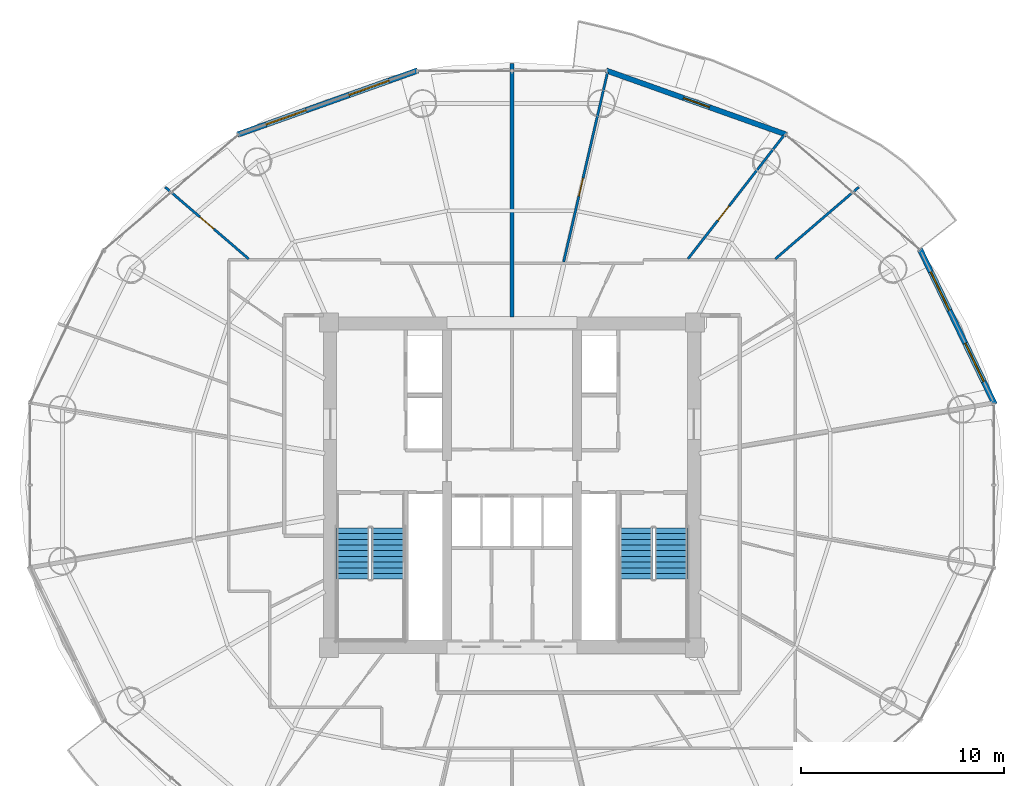
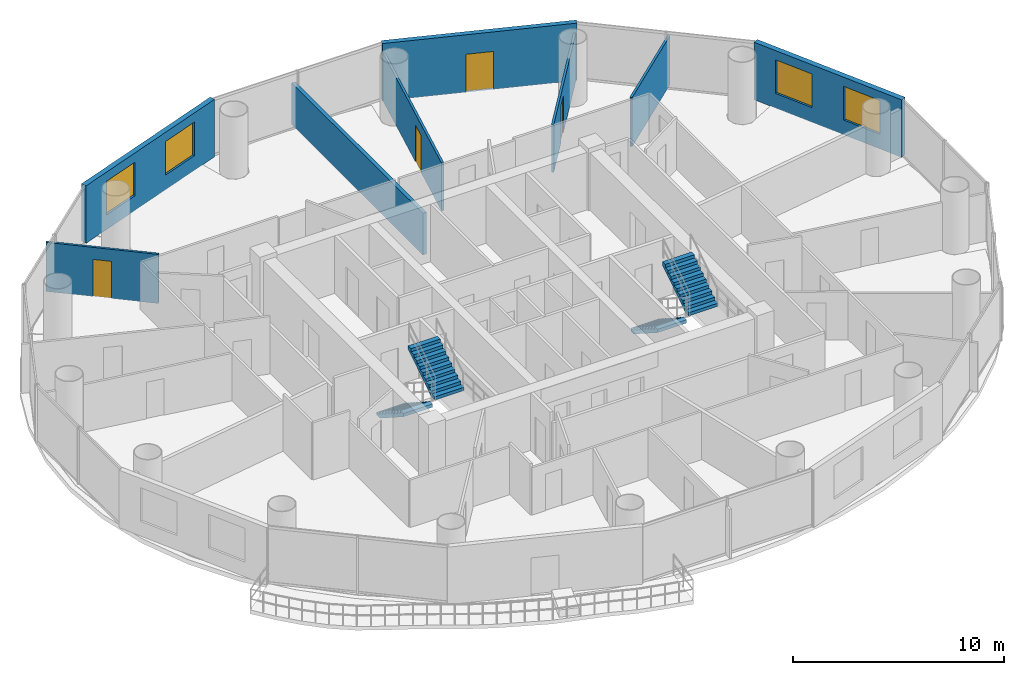
# One storey, part 23 of 26: 8 walls, 4 doors, 4 stair flights, 4 windows, 8 openings, 2 elements without a shape of their own.
"""IFC4 building model written with IfcOpenShell, lengths in metres."""

from ifc_helpers import new_model, si_unit, direction, frame, frame_2d, origin, place, context, subcontext, project, spatial, polyline, rectangle, outline, extrude, source, transform, mapped, material, layer, layer_set, type_object, element, fill, aggregate, save


model = new_model("IFC4")

# Units and contexts
model_context = context("Model", 3, precision=1e-05, world=origin(), true_north=direction((-0.2419218956, 0.970295726276)))
body_context = subcontext(model_context, "Body", "Model", "MODEL_VIEW")
ifc_project = project(units=[si_unit("LENGTHUNIT", "METRE"), si_unit("AREAUNIT", "SQUARE_METRE"), si_unit("VOLUMEUNIT", "CUBIC_METRE"), si_unit("PLANEANGLEUNIT", "RADIAN"), si_unit("MASSUNIT", "GRAM", prefix="KILO")], contexts=[model_context])

# Site, building, storey
site_placement = place(None, origin())
site = spatial("IfcSite", under=ifc_project, at=site_placement, CompositionType="ELEMENT")
building_placement = place(site_placement, origin())
building = spatial("IfcBuilding", under=site, at=building_placement, Name="Cobrevalo Terracotta Tower", CompositionType="ELEMENT")
storey_placement = place(building_placement, frame((0.0, 0.0, 139.0)))
storey = spatial("IfcBuildingStorey", under=building, at=storey_placement, Name="L36", CompositionType="ELEMENT", Elevation=139.0)

# Wall
ifc_material_1 = material(Name="Autoclaved aerated concrete block", Category="concrete")
ifc_layer_1 = layer(ifc_material_1, 0.199951171875)
ifc_layer_set_1 = layer_set([ifc_layer_1], Name="Autoclaved aerated concrete block")
wall_type_1 = type_object("IfcWallType", Name="Fire-rated stair, shaft & demising masonry wall 200 mm", PredefinedType="PARTITIONING", material=ifc_layer_set_1)
wall_1_placement = place(storey_placement, frame((38.0, 35.074951171875, 0.0), z_axis=(0.0, 0.0, 1.0), x_axis=(0.0, 1.0, 0.0)))
element("IfcWall", 1, at=wall_1_placement, inside=storey, type_object=wall_type_1, Name="L36 interior partition IW-L36-DEM-2", PredefinedType="PARTITIONING", context=body_context, shape_type="SweptSolid", body=[
    extrude(rectangle(XDim=12.465087890625, YDim=0.199951171875, at=frame_2d((6.232421875, 0.0))), origin(), (0.0, 0.0, 1.0), 2.4150390625),
])

# Wall, openings, windows
ifc_layer_2 = layer(ifc_material_1, 0.280029296875)
ifc_layer_set_2 = layer_set([ifc_layer_2], Name="Autoclaved aerated concrete block")
wall_type_2 = type_object("IfcWallType", Name="Insulated tower spandrel & pier wall 280 mm with terracotta rainscreen", PredefinedType="SOLIDWALL", material=ifc_layer_set_2)
wall_2_placement = place(storey_placement, frame((61.740234375, 30.780029296875, 0.0), z_axis=(0.0, 0.0, 1.0), x_axis=(-0.434209827226, 0.900811759437, 0.0)))
wall_2 = element("IfcWall", 2, at=wall_2_placement, inside=storey, type_object=wall_type_2, Name="L36 terracotta rainscreen pier wall S01", PredefinedType="SOLIDWALL", context=body_context, shape_type="SweptSolid", body=[
    extrude(rectangle(XDim=8.4716796875, YDim=0.280029296875, at=frame_2d((4.23583984375, 0.0))), origin(), (0.0, 0.0, 1.0), 3.330078125),
])
opening_1_placement = place(wall_2_placement, frame((1.2373046875, 0.0, 0.85009765625)))
opening_1 = element("IfcOpeningElement", 3, at=opening_1_placement, cuts=wall_2, Name="Opening WN-10", PredefinedType="OPENING", context=body_context, shape_type="SweptSolid", body=[
    extrude(rectangle(XDim=2.10009765625, YDim=1.949951171875, at=frame_2d((1.050048828125, 0.97509765625))), frame((0.0, 0.14990234375, 0.0), z_axis=(0.0, -1.0, 0.0), x_axis=(1.0, 0.0, 0.0)), (0.0, 0.0, 1.0), 0.300048828125),
])
opening_2_placement = place(wall_2_placement, frame((5.13427734375, 0.0, 0.85009765625)))
opening_2 = element("IfcOpeningElement", 4, at=opening_2_placement, cuts=wall_2, Name="Opening WN-10", PredefinedType="OPENING", context=body_context, shape_type="SweptSolid", body=[
    extrude(rectangle(XDim=2.10009765625, YDim=1.949951171875, at=frame_2d((1.050048828125, 0.97509765625))), frame((0.0, 0.14990234375, 0.0), z_axis=(0.0, -1.0, 0.0), x_axis=(1.0, 0.0, 0.0)), (0.0, 0.0, 1.0), 0.300048828125),
])
ifc_material_2 = material(Name="Solar-control low-E double glazing", Category="glass")
window_type = type_object("IfcWindowType", Name="Wide panoramic low-E aluminium window 2100x1950", PartitioningType="SINGLE_PANEL", PredefinedType="WINDOW", material=ifc_material_2)
shared_shape_1 = source(origin(), body_context, "Body", "SweptSolid", [
    extrude(rectangle(XDim=2.10009765625, YDim=1.949951171875, at=frame_2d((1.050048828125, 0.97509765625))), frame((0.0, 0.030029296875, 0.0), z_axis=(0.0, -1.0, 0.0), x_axis=(1.0, 0.0, 0.0)), (0.0, 0.0, 1.0), 0.06005859375),
])
window_1_placement = place(opening_1_placement, origin())
window_1 = element("IfcWindow", 5, at=window_1_placement, inside=storey, type_object=window_type, Name="L36 suite window S01A", OverallHeight=1.949951171875, OverallWidth=2.10009765625, PartitioningType="SINGLE_PANEL", PredefinedType="WINDOW", context=body_context, shape_type="MappedRepresentation", body=[
    mapped(shared_shape_1, transform((0.0, 0.0, 0.0), scale=1.0)),
])
fill(opening_1, window_1)
window_2_placement = place(opening_2_placement, origin())
window_2 = element("IfcWindow", 6, at=window_2_placement, inside=storey, type_object=window_type, Name="L36 suite window S01B", OverallHeight=1.949951171875, OverallWidth=2.10009765625, PartitioningType="SINGLE_PANEL", PredefinedType="WINDOW", context=body_context, shape_type="MappedRepresentation", body=[
    mapped(shared_shape_1, transform((0.0, 0.0, 0.0), scale=1.0)),
])
fill(opening_2, window_2)

wall_3_placement = place(storey_placement, frame((33.360107421875, 47.19775390625, 0.0), z_axis=(0.0, 0.0, 1.0), x_axis=(-0.942095406405, -0.335344964522, 0.0)))
wall_3 = element("IfcWall", 7, at=wall_3_placement, inside=storey, type_object=wall_type_2, Name="L36 terracotta rainscreen pier wall S05", PredefinedType="SOLIDWALL", context=body_context, shape_type="SweptSolid", body=[
    extrude(rectangle(XDim=9.408203125, YDim=0.280029296875, at=frame_2d((4.7041015625, 0.0))), origin(), (0.0, 0.0, 1.0), 3.330078125),
])
opening_3_placement = place(wall_3_placement, frame((1.490234375, 0.0, 0.85009765625)))
opening_3 = element("IfcOpeningElement", 8, at=opening_3_placement, cuts=wall_3, Name="Opening WN-10", PredefinedType="OPENING", context=body_context, shape_type="SweptSolid", body=[
    extrude(rectangle(XDim=2.10009765625, YDim=1.949951171875, at=frame_2d((1.050048828125, 0.97509765625))), frame((0.0, 0.14990234375, 0.0), z_axis=(0.0, -1.0, 0.0), x_axis=(1.0, 0.0, 0.0)), (0.0, 0.0, 1.0), 0.300048828125),
])
opening_4_placement = place(wall_3_placement, frame((5.818115234375, 0.0, 0.85009765625)))
opening_4 = element("IfcOpeningElement", 9, at=opening_4_placement, cuts=wall_3, Name="Opening WN-10", PredefinedType="OPENING", context=body_context, shape_type="SweptSolid", body=[
    extrude(rectangle(XDim=2.10009765625, YDim=1.949951171875, at=frame_2d((1.050048828125, 0.97509765625))), frame((0.0, 0.14990234375, 0.0), z_axis=(0.0, -1.0, 0.0), x_axis=(1.0, 0.0, 0.0)), (0.0, 0.0, 1.0), 0.300048828125),
])
window_3_placement = place(opening_3_placement, origin())
window_3 = element("IfcWindow", 10, at=window_3_placement, inside=storey, type_object=window_type, Name="L36 suite window S05A", OverallHeight=1.949951171875, OverallWidth=2.10009765625, PartitioningType="SINGLE_PANEL", PredefinedType="WINDOW", context=body_context, shape_type="MappedRepresentation", body=[
    mapped(shared_shape_1, transform((0.0, 0.0, 0.0), scale=1.0)),
])
fill(opening_3, window_3)
window_4_placement = place(opening_4_placement, origin())
window_4 = element("IfcWindow", 11, at=window_4_placement, inside=storey, type_object=window_type, Name="L36 suite window S05B", OverallHeight=1.949951171875, OverallWidth=2.10009765625, PartitioningType="SINGLE_PANEL", PredefinedType="WINDOW", context=body_context, shape_type="MappedRepresentation", body=[
    mapped(shared_shape_1, transform((0.0, 0.0, 0.0), scale=1.0)),
])
fill(opening_4, window_4)

# Wall, opening, door
ifc_layer_3 = layer(ifc_material_1, 0.260009765625)
ifc_layer_set_3 = layer_set([ifc_layer_3], Name="Autoclaved aerated concrete block")
wall_type_3 = type_object("IfcWallType", Name="Recessed balcony loggia insulated exterior wall 260 mm", PredefinedType="SOLIDWALL", material=ifc_layer_set_3)
wall_4_placement = place(storey_placement, frame((51.50341796875, 44.042724609375, 0.0), z_axis=(0.0, 0.0, 1.0), x_axis=(-0.942095406405, 0.335344964522, 0.0)))
wall_4 = element("IfcWall", 12, at=wall_4_placement, inside=storey, type_object=wall_type_3, Name="L36 balcony loggia wall S03", PredefinedType="SOLIDWALL", context=body_context, shape_type="SweptSolid", body=[
    extrude(rectangle(XDim=9.408203125, YDim=0.260009765625, at=frame_2d((4.7041015625, 0.0))), origin(), (0.0, 0.0, 1.0), 3.330078125),
])
opening_5_placement = place(wall_4_placement, frame((4.029052734375, 0.0, 0.0)))
opening_5 = element("IfcOpeningElement", 13, at=opening_5_placement, cuts=wall_4, Name="Opening ED-05", PredefinedType="OPENING", context=body_context, shape_type="SweptSolid", body=[
    extrude(rectangle(XDim=1.35009765625, YDim=2.199951171875, at=frame_2d((0.675048828125, 1.10009765625))), frame((0.0, 0.14013671875, 0.0), z_axis=(0.0, -1.0, 0.0), x_axis=(1.0, 0.0, 0.0)), (0.0, 0.0, 1.0), 0.280029296875),
])
ifc_material_3 = material(Name="Anodized aluminium and laminated glass", Category="aluminium")
door_type_1 = type_object("IfcDoorType", Name="Suite balcony acoustic glazed terrace door 1350x2200", OperationType="NOTDEFINED", PredefinedType="DOOR", material=ifc_material_3)
shared_shape_2 = source(origin(), body_context, "Body", "SweptSolid", [
    extrude(rectangle(XDim=1.35009765625, YDim=2.199951171875, at=frame_2d((0.675048828125, 1.10009765625))), frame((0.0, 0.02490234375, 0.0), z_axis=(0.0, -1.0, 0.0), x_axis=(1.0, 0.0, 0.0)), (0.0, 0.0, 1.0), 0.050048828125),
])
door_1_placement = place(opening_5_placement, frame((1.35009765625, 0.0, 0.0), z_axis=(0.0, 0.0, 1.0), x_axis=(-1.0, 0.0, 0.0)))
door_1 = element("IfcDoor", 14, at=door_1_placement, inside=storey, type_object=door_type_1, Name="L36 glazed balcony terrace door 1", OperationType="SINGLE_SWING_LEFT", OverallHeight=2.199951171875, OverallWidth=1.35009765625, PredefinedType="DOOR", context=body_context, shape_type="MappedRepresentation", body=[
    mapped(shared_shape_2, transform((0.0, 0.0, 0.0), scale=1.0)),
])
fill(opening_5, door_1)

# Wall
ifc_material_4 = material(Name="Gypsum board on steel stud", Category="steel")
ifc_layer_4 = layer(ifc_material_4, 0.1201171875)
ifc_layer_set_4 = layer_set([ifc_layer_4], Name="Gypsum board on steel stud")
wall_type_4 = type_object("IfcWallType", Name="Residential internal acoustic stud partition 120 mm", PredefinedType="PARTITIONING", material=ifc_layer_set_4)
wall_5_placement = place(storey_placement, frame((50.944091796875, 37.92529296875, 0.0), z_axis=(0.0, 0.0, 1.0), x_axis=(0.758354915574, 0.65184186888, 0.0)))
element("IfcWall", 15, at=wall_5_placement, inside=storey, type_object=wall_type_4, Name="L36 interior partition IW-L36-U1-ORAD1", PredefinedType="PARTITIONING", context=body_context, shape_type="SweptSolid", body=[
    extrude(rectangle(XDim=5.432373046875, YDim=0.1201171875, at=frame_2d((2.71630859375, 0.0))), origin(), (0.0, 0.0, 1.0), 2.845947265625),
])

# Wall, opening, door
wall_6_placement = place(storey_placement, frame((46.655517578125, 37.933837890625, 0.0), z_axis=(0.0, 0.0, 1.0), x_axis=(0.613758289074, 0.789493991487, 0.0)))
wall_6 = element("IfcWall", 16, at=wall_6_placement, inside=storey, type_object=wall_type_4, Name="L36 interior partition IW-L36-U1-ORAD2", PredefinedType="PARTITIONING", context=body_context, shape_type="SweptSolid", body=[
    extrude(rectangle(XDim=7.695068359375, YDim=0.1201171875, at=frame_2d((3.84765625, 0.0))), origin(), (0.0, 0.0, 1.0), 2.77587890625),
])
opening_6_placement = place(wall_6_placement, frame((2.394775390625, 0.0, 0.0)))
opening_6 = element("IfcOpeningElement", 17, at=opening_6_placement, cuts=wall_6, Name="Opening ID-12", PredefinedType="OPENING", context=body_context, shape_type="SweptSolid", body=[
    extrude(rectangle(XDim=0.89990234375, YDim=2.14990234375, at=frame_2d((0.449951171875, 1.074951171875))), frame((0.0, 0.070068359375, 0.0), z_axis=(0.0, -1.0, 0.0), x_axis=(1.0, 0.0, 0.0)), (0.0, 0.0, 1.0), 0.14013671875),
])
ifc_material_5 = material(Name="Engineered timber", Category="wood")
door_type_2 = type_object("IfcDoorType", Name="Internal residence & suite timber door 900x2150", OperationType="NOTDEFINED", PredefinedType="DOOR", material=ifc_material_5)
shared_shape_3 = source(origin(), body_context, "Body", "SweptSolid", [
    extrude(rectangle(XDim=0.89990234375, YDim=2.14990234375, at=frame_2d((0.449951171875, 1.074951171875))), frame((0.0, 0.02490234375, 0.0), z_axis=(0.0, -1.0, 0.0), x_axis=(1.0, 0.0, 0.0)), (0.0, 0.0, 1.0), 0.050048828125),
])
door_2_placement = place(opening_6_placement, frame((0.89990234375, 0.0, 0.0), z_axis=(0.0, 0.0, 1.0), x_axis=(-1.0, 0.0, 0.0)))
door_2 = element("IfcDoor", 18, at=door_2_placement, inside=storey, type_object=door_type_2, Name="Flat L36A Master Bedroom internal door", OperationType="SINGLE_SWING_LEFT", OverallHeight=2.14990234375, OverallWidth=0.89990234375, PredefinedType="DOOR", context=body_context, shape_type="MappedRepresentation", body=[
    mapped(shared_shape_3, transform((0.0, 0.0, 0.0), scale=1.0)),
])
fill(opening_6, door_2)

wall_7_placement = place(storey_placement, frame((40.542236328125, 37.785400390625, 0.0), z_axis=(0.0, 0.0, 1.0), x_axis=(0.225467545633, 0.974250679171, 0.0)))
wall_7 = element("IfcWall", 19, at=wall_7_placement, inside=storey, type_object=wall_type_4, Name="L36 interior partition IW-L36-U1-ORAD3M1", PredefinedType="PARTITIONING", context=body_context, shape_type="SweptSolid", body=[
    extrude(rectangle(XDim=9.55908203125, YDim=0.1201171875, at=frame_2d((4.779541015625, 0.0))), origin(), (0.0, 0.0, 1.0), 2.77587890625),
])
opening_7_placement = place(wall_7_placement, frame((3.3203125, 0.0, 0.0)))
opening_7 = element("IfcOpeningElement", 20, at=opening_7_placement, cuts=wall_7, Name="Opening ID-12", PredefinedType="OPENING", context=body_context, shape_type="SweptSolid", body=[
    extrude(rectangle(XDim=0.89990234375, YDim=2.14990234375, at=frame_2d((0.449951171875, 1.074951171875))), frame((0.0, 0.070068359375, 0.0), z_axis=(0.0, -1.0, 0.0), x_axis=(1.0, 0.0, 0.0)), (0.0, 0.0, 1.0), 0.14013671875),
])
door_3_placement = place(opening_7_placement, origin())
door_3 = element("IfcDoor", 21, at=door_3_placement, inside=storey, type_object=door_type_2, Name="Flat L36A Principal Guest Bedroom internal door", OperationType="SINGLE_SWING_RIGHT", OverallHeight=2.14990234375, OverallWidth=0.89990234375, PredefinedType="DOOR", context=body_context, shape_type="MappedRepresentation", body=[
    mapped(shared_shape_3, transform((0.0, 0.0, 0.0), scale=1.0)),
])
fill(opening_7, door_3)

wall_8_placement = place(storey_placement, frame((25.055908203125, 37.92529296875, 0.0), z_axis=(0.0, 0.0, 1.0), x_axis=(-0.758354915574, 0.65184186888, 0.0)))
wall_8 = element("IfcWall", 22, at=wall_8_placement, inside=storey, type_object=wall_type_4, Name="L36 interior partition IW-L36-U2-ORAD1", PredefinedType="PARTITIONING", context=body_context, shape_type="SweptSolid", body=[
    extrude(rectangle(XDim=5.432373046875, YDim=0.1201171875, at=frame_2d((2.71630859375, 0.0))), origin(), (0.0, 0.0, 1.0), 2.845947265625),
])
opening_8_placement = place(wall_8_placement, frame((2.26611328125, 0.0, 0.0)))
opening_8 = element("IfcOpeningElement", 23, at=opening_8_placement, cuts=wall_8, Name="Opening ID-12", PredefinedType="OPENING", context=body_context, shape_type="SweptSolid", body=[
    extrude(rectangle(XDim=0.89990234375, YDim=2.14990234375, at=frame_2d((0.449951171875, 1.074951171875))), frame((0.0, 0.070068359375, 0.0), z_axis=(0.0, -1.0, 0.0), x_axis=(1.0, 0.0, 0.0)), (0.0, 0.0, 1.0), 0.14013671875),
])
door_4_placement = place(opening_8_placement, origin())
door_4 = element("IfcDoor", 24, at=door_4_placement, inside=storey, type_object=door_type_2, Name="Flat L36B Master Bedroom internal door", OperationType="SINGLE_SWING_RIGHT", OverallHeight=2.14990234375, OverallWidth=0.89990234375, PredefinedType="DOOR", context=body_context, shape_type="MappedRepresentation", body=[
    mapped(shared_shape_3, transform((0.0, 0.0, 0.0), scale=1.0)),
])
fill(opening_8, door_4)

# Stair, stair flights
ifc_material_6 = material(Name="Concrete C50", Category="concrete")
stair_type = type_object("IfcStairType", Name="Core protected escape dogleg stair 1600", PredefinedType="HALF_TURN_STAIR", material=ifc_material_6)
stair_1_placement = place(storey_placement, origin())
stair_1 = element("IfcStair", 25, at=stair_1_placement, inside=storey, type_object=stair_type, Name="L36 Protected exit stair ST-1", PredefinedType="HALF_TURN_STAIR")
stair_flight_type = type_object("IfcStairFlightType", Name="Core protected escape dogleg stair 1600 flight", PredefinedType="STRAIGHT", material=ifc_material_6)
stair_flight_1_placement = place(storey_placement, frame((30.175048828125, 24.699951171875, 0.0), z_axis=(0.0, 0.0, 1.0), x_axis=(0.0, -1.0, 0.0)))
stair_flight_1 = element("IfcStairFlight", 26, at=stair_flight_1_placement, type_object=stair_flight_type, Name="ST-1 flight 1", NumberOfRisers=10, NumberOfTreads=9, PredefinedType="STRAIGHT", RiserHeight=0.18, TreadLength=0.28, context=body_context, shape_type="SweptSolid", body=[
    extrude(outline(polyline([(0.0, 0.0), (0.0, 0.179931640625), (0.280029296875, 0.179931640625), (0.280029296875, 0.360107421875), (0.56005859375, 0.360107421875), (0.56005859375, 0.5400390625), (0.840087890625, 0.5400390625), (0.840087890625, 0.719970703125), (1.1201171875, 0.719970703125), (1.1201171875, 0.89990234375), (1.39990234375, 0.89990234375), (1.39990234375, 1.080078125), (1.679931640625, 1.080078125), (1.679931640625, 1.260009765625), (1.9599609375, 1.260009765625), (1.9599609375, 1.43994140625), (2.239990234375, 1.43994140625), (2.239990234375, 1.6201171875), (2.52001953125, 1.6201171875), (2.52001953125, 1.800048828125), (2.52001953125, 1.429931640625), (0.295654296875, 0.0), (0.0, 0.0)])), frame((0.0, 0.800048828125, 0.0), z_axis=(0.0, -1.0, 0.0), x_axis=(1.0, 0.0, 0.0)), (0.0, 0.0, 1.0), 1.60009765625),
])
stair_flight_2_placement = place(storey_placement, frame((31.89501953125, 22.179931640625, 1.800048828125), z_axis=(0.0, 0.0, 1.0), x_axis=(0.0, 1.0, 0.0)))
stair_flight_2 = element("IfcStairFlight", 27, at=stair_flight_2_placement, type_object=stair_flight_type, Name="ST-1 flight 2", NumberOfRisers=10, NumberOfTreads=9, PredefinedType="STRAIGHT", RiserHeight=0.18, TreadLength=0.28, context=body_context, shape_type="SweptSolid", body=[
    extrude(outline(polyline([(0.0, 0.0), (0.0, 0.179931640625), (0.280029296875, 0.179931640625), (0.280029296875, 0.360107421875), (0.56005859375, 0.360107421875), (0.56005859375, 0.5400390625), (0.840087890625, 0.5400390625), (0.840087890625, 0.719970703125), (1.1201171875, 0.719970703125), (1.1201171875, 0.89990234375), (1.39990234375, 0.89990234375), (1.39990234375, 1.080078125), (1.679931640625, 1.080078125), (1.679931640625, 1.260009765625), (1.9599609375, 1.260009765625), (1.9599609375, 1.43994140625), (2.239990234375, 1.43994140625), (2.239990234375, 1.6201171875), (2.52001953125, 1.6201171875), (2.52001953125, 1.800048828125), (2.52001953125, 1.429931640625), (0.295654296875, 0.0), (0.0, 0.0)])), frame((0.0, 0.800048828125, 0.0), z_axis=(0.0, -1.0, 0.0), x_axis=(1.0, 0.0, 0.0)), (0.0, 0.0, 1.0), 1.60009765625),
])
aggregate(stair_1, [stair_flight_1, stair_flight_2])

stair_2_placement = place(storey_placement, origin())
stair_2 = element("IfcStair", 28, at=stair_2_placement, inside=storey, type_object=stair_type, Name="L36 Protected exit stair ST-2", PredefinedType="HALF_TURN_STAIR")
stair_flight_3_placement = place(storey_placement, frame((44.10498046875, 24.699951171875, 0.0), z_axis=(0.0, 0.0, 1.0), x_axis=(0.0, -1.0, 0.0)))
stair_flight_3 = element("IfcStairFlight", 29, at=stair_flight_3_placement, type_object=stair_flight_type, Name="ST-2 flight 1", NumberOfRisers=10, NumberOfTreads=9, PredefinedType="STRAIGHT", RiserHeight=0.18, TreadLength=0.28, context=body_context, shape_type="SweptSolid", body=[
    extrude(outline(polyline([(0.0, 0.0), (0.0, 0.179931640625), (0.280029296875, 0.179931640625), (0.280029296875, 0.360107421875), (0.56005859375, 0.360107421875), (0.56005859375, 0.5400390625), (0.840087890625, 0.5400390625), (0.840087890625, 0.719970703125), (1.1201171875, 0.719970703125), (1.1201171875, 0.89990234375), (1.39990234375, 0.89990234375), (1.39990234375, 1.080078125), (1.679931640625, 1.080078125), (1.679931640625, 1.260009765625), (1.9599609375, 1.260009765625), (1.9599609375, 1.43994140625), (2.239990234375, 1.43994140625), (2.239990234375, 1.6201171875), (2.52001953125, 1.6201171875), (2.52001953125, 1.800048828125), (2.52001953125, 1.429931640625), (0.295654296875, 0.0), (0.0, 0.0)])), frame((0.0, 0.800048828125, 0.0), z_axis=(0.0, -1.0, 0.0), x_axis=(1.0, 0.0, 0.0)), (0.0, 0.0, 1.0), 1.60009765625),
])
stair_flight_4_placement = place(storey_placement, frame((45.824951171875, 22.179931640625, 1.800048828125), z_axis=(0.0, 0.0, 1.0), x_axis=(0.0, 1.0, 0.0)))
stair_flight_4 = element("IfcStairFlight", 30, at=stair_flight_4_placement, type_object=stair_flight_type, Name="ST-2 flight 2", NumberOfRisers=10, NumberOfTreads=9, PredefinedType="STRAIGHT", RiserHeight=0.18, TreadLength=0.28, context=body_context, shape_type="SweptSolid", body=[
    extrude(outline(polyline([(0.0, 0.0), (0.0, 0.179931640625), (0.280029296875, 0.179931640625), (0.280029296875, 0.360107421875), (0.56005859375, 0.360107421875), (0.56005859375, 0.5400390625), (0.840087890625, 0.5400390625), (0.840087890625, 0.719970703125), (1.1201171875, 0.719970703125), (1.1201171875, 0.89990234375), (1.39990234375, 0.89990234375), (1.39990234375, 1.080078125), (1.679931640625, 1.080078125), (1.679931640625, 1.260009765625), (1.9599609375, 1.260009765625), (1.9599609375, 1.43994140625), (2.239990234375, 1.43994140625), (2.239990234375, 1.6201171875), (2.52001953125, 1.6201171875), (2.52001953125, 1.800048828125), (2.52001953125, 1.429931640625), (0.295654296875, 0.0), (0.0, 0.0)])), frame((0.0, 0.800048828125, 0.0), z_axis=(0.0, -1.0, 0.0), x_axis=(1.0, 0.0, 0.0)), (0.0, 0.0, 1.0), 1.60009765625),
])
aggregate(stair_2, [stair_flight_3, stair_flight_4])

save(model, "model.ifc")
